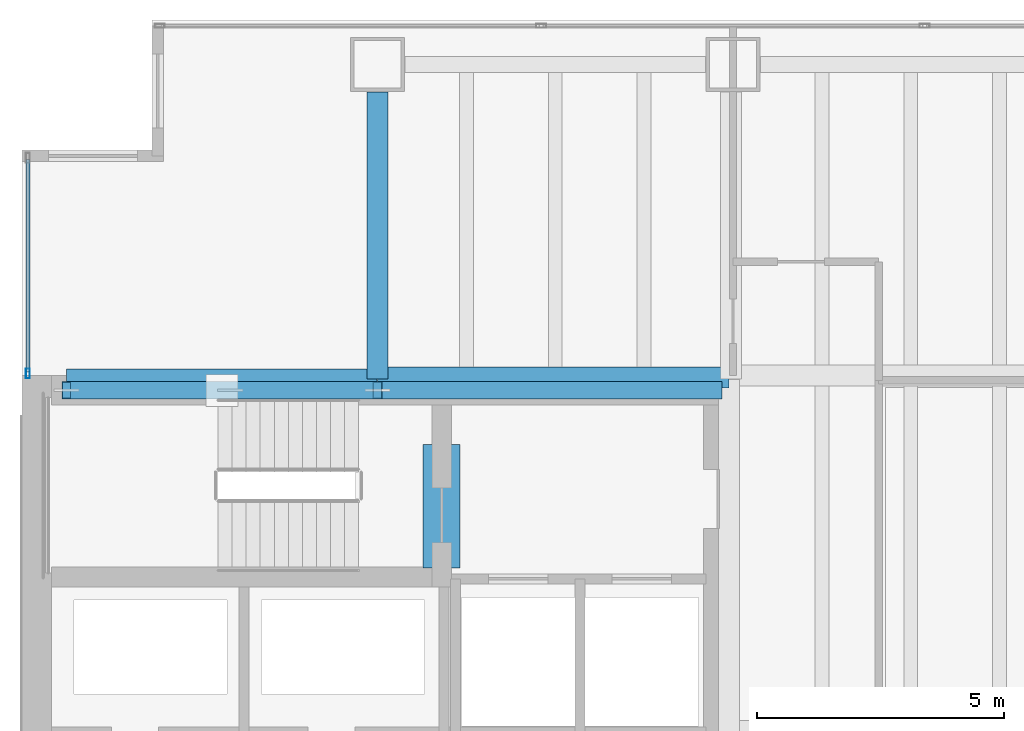
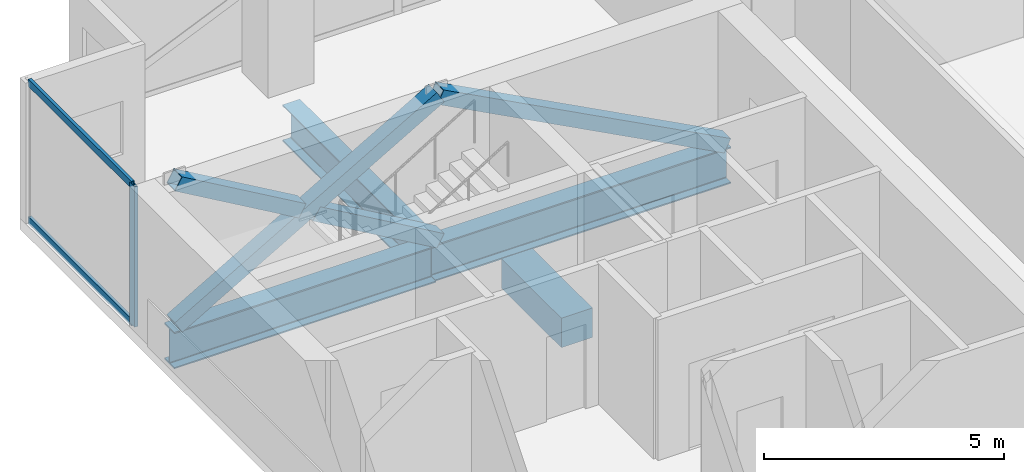
# One storey, part 14 of 25: 7 members, 4 beams, 1 element without a shape of its own.
"""IFC4 building model written with IfcOpenShell, lengths in metres."""

from ifc_helpers import new_model, si_unit, direction, frame, origin, origin_2d, place, context, subcontext, project, spatial, rectangle, hollow_rectangle, i_section, extrude, material, material_profile, profile_set, type_object, element, aggregate, save


model = new_model("IFC4")

# Units and contexts
model_context = context("Model", 3, precision=1e-05, world=origin(), true_north=direction((0.0, 1.0)))
body_context = subcontext(model_context, "Body", "Model", "MODEL_VIEW")
ifc_project = project(units=[si_unit("LENGTHUNIT", "METRE"), si_unit("AREAUNIT", "SQUARE_METRE"), si_unit("VOLUMEUNIT", "CUBIC_METRE"), si_unit("PLANEANGLEUNIT", "RADIAN"), si_unit("MASSUNIT", "GRAM", prefix="KILO")], contexts=[model_context])

# Site, building, storey
site_placement = place(None, origin())
site = spatial("IfcSite", under=ifc_project, at=site_placement, CompositionType="ELEMENT")
building_placement = place(site_placement, origin())
building = spatial("IfcBuilding", under=site, at=building_placement, Name="Cobrela Telecom Tower", CompositionType="ELEMENT")
storey_placement = place(building_placement, frame((0.0, 0.0, 42.699951171875)))
storey = spatial("IfcBuildingStorey", under=building, at=storey_placement, Name="L10", CompositionType="ELEMENT", Elevation=42.699951171875)

# Beams
ifc_material_1 = material(Name="Concrete C40/50", Category="concrete")
ifc_material_profile_1 = material_profile(ifc_material_1, rectangle(XDim=0.75, YDim=0.75, at=origin_2d()), Name="RC 750x750")
ifc_profile_set_1 = profile_set([ifc_material_profile_1], Name="Concrete C40/50")
beam_type_1 = type_object("IfcBeamType", Name="BM-COUP-RC", PredefinedType="LINTEL", material=ifc_profile_set_1)
beam_1_placement = place(storey_placement, frame((8.5, 32.10009765625, -0.6298828125), z_axis=(0.0, 1.0, 0.0), x_axis=(-1.0, 0.0, 0.0)))
element("IfcBeam", 1, at=beam_1_placement, inside=storey, type_object=beam_type_1, Name="L10 Core Coupling Lintel Beam", PredefinedType="LINTEL", context=body_context, shape_type="SweptSolid", body=[
    extrude(rectangle(XDim=0.75, YDim=0.75, at=origin_2d()), origin(), (0.0, 0.0, 1.0), 2.5),
])
ifc_material_2 = material(Name="Steel ASTM A992 Grade 50", Category="steel")
ifc_material_profile_2 = material_profile(ifc_material_2, i_section(OverallWidth=0.4189453125, OverallDepth=0.927001953125, WebThickness=0.019287109375, FlangeThickness=0.031982421875, FilletRadius=0.02392578125, at=origin_2d()), Name="W36X231")
ifc_profile_set_2 = profile_set([ifc_material_profile_2], Name="Steel ASTM A992 Grade 50")
beam_type_2 = type_object("IfcBeamType", Name="BM-GIRD-02", PredefinedType="USERDEFINED", material=ifc_profile_set_2)
beam_2_placement = place(storey_placement, frame((0.905029296875, 35.919921875, -0.743408203125), z_axis=(1.0, 0.0, 0.0), x_axis=(0.0, 1.0, 0.0)))
element("IfcBeam", 2, at=beam_2_placement, inside=storey, type_object=beam_type_2, Name="L10 Primary Girder X25", ObjectType="GIRDER", PredefinedType="USERDEFINED", context=body_context, shape_type="SweptSolid", body=[
    extrude(i_section(OverallWidth=0.4189453125, OverallDepth=0.927001953125, WebThickness=0.019287109375, FlangeThickness=0.031982421875, FilletRadius=0.02392578125, at=origin_2d()), origin(), (0.0, 0.0, 1.0), 6.2900390625),
])
beam_3_placement = place(storey_placement, frame((7.205078125, 35.9599609375, -0.743408203125), z_axis=(1.0, 0.0, 0.0), x_axis=(0.0, 1.0, 0.0)))
element("IfcBeam", 3, at=beam_3_placement, inside=storey, type_object=beam_type_2, Name="L10 Primary Girder X26", ObjectType="GIRDER", PredefinedType="USERDEFINED", context=body_context, shape_type="SweptSolid", body=[
    extrude(i_section(OverallWidth=0.4189453125, OverallDepth=0.927001953125, WebThickness=0.019287109375, FlangeThickness=0.031982421875, FilletRadius=0.02392578125, at=origin_2d()), origin(), (0.0, 0.0, 1.0), 7.10986328125),
])
beam_4_placement = place(storey_placement, frame((7.199951171875, 35.925048828125, -0.743408203125), z_axis=(0.0, 1.0, 0.0), x_axis=(-1.0, 0.0, 0.0)))
element("IfcBeam", 4, at=beam_4_placement, inside=storey, type_object=beam_type_2, Name="L10 Primary Girder Y33", ObjectType="GIRDER", PredefinedType="USERDEFINED", context=body_context, shape_type="SweptSolid", body=[
    extrude(i_section(OverallWidth=0.4189453125, OverallDepth=0.927001953125, WebThickness=0.019287109375, FlangeThickness=0.031982421875, FilletRadius=0.02392578125, at=origin_2d()), origin(), (0.0, 0.0, 1.0), 5.820068359375),
])

# Curtain wall, members
ifc_material_3 = material(Name="Anodized Bronze Aluminium 6063-T6", Category="aluminium")
curtain_wall_type = type_object("IfcCurtainWallType", Name="CW-SYS-DATA", PredefinedType="USERDEFINED", material=ifc_material_3)
curtain_wall_placement = place(storey_placement, origin())
curtain_wall = element("IfcCurtainWall", 5, at=curtain_wall_placement, inside=storey, type_object=curtain_wall_type, Name="L10 Unitised Bronze Curtain Wall 04", ObjectType="UNITISED CURTAIN WALL", PredefinedType="USERDEFINED")
ifc_material_profile_3 = material_profile(ifc_material_3, hollow_rectangle(XDim=0.080078125, YDim=0.199951171875, WallThickness=0.00390625, at=origin_2d()), Name="ALU 80x200x4")
ifc_profile_set_3 = profile_set([ifc_material_profile_3], Name="Anodized Bronze Aluminium 6063-T6")
member_type_1 = type_object("IfcMemberType", Name="CW-SYS-DATA-MUL", PredefinedType="MULLION", material=ifc_profile_set_3)
member_1_placement = place(storey_placement, frame((0.1201171875, 36.0400390625, 0.0), z_axis=(0.0, 0.0, 1.0), x_axis=(-1.0, 0.0, 0.0)))
member_1 = element("IfcMember", 6, at=member_1_placement, type_object=member_type_1, Name="CW-DATA mullion 1", PredefinedType="MULLION", context=body_context, shape_type="SweptSolid", body=[
    extrude(hollow_rectangle(XDim=0.080078125, YDim=0.199951171875, WallThickness=0.00390625, at=origin_2d()), origin(), (0.0, 0.0, 1.0), 3.570068359375),
])
ifc_material_profile_4 = material_profile(ifc_material_3, hollow_rectangle(XDim=0.074951171875, YDim=0.179931640625, WallThickness=0.00390625, at=origin_2d()), Name="ALU 75x180x4")
ifc_profile_set_4 = profile_set([ifc_material_profile_4], Name="Anodized Bronze Aluminium 6063-T6")
member_type_2 = type_object("IfcMemberType", Name="CW-SYS-DATA-TRN", PredefinedType="USERDEFINED", material=ifc_profile_set_4)
member_2_placement = place(storey_placement, frame((0.1201171875, 36.080078125, 0.03759765625), z_axis=(0.0, 1.0, 0.0), x_axis=(-1.0, 0.0, 0.0)))
member_2 = element("IfcMember", 7, at=member_2_placement, type_object=member_type_2, Name="CW-DATA transom 1.1", ObjectType="TRANSOM", PredefinedType="USERDEFINED", context=body_context, shape_type="SweptSolid", body=[
    extrude(hollow_rectangle(XDim=0.074951171875, YDim=0.179931640625, WallThickness=0.00390625, at=origin_2d()), origin(), (0.0, 0.0, 1.0), 4.2900390625),
])
member_3_placement = place(storey_placement, frame((0.1201171875, 36.080078125, 3.532470703125), z_axis=(0.0, 1.0, 0.0), x_axis=(-1.0, 0.0, 0.0)))
member_3 = element("IfcMember", 8, at=member_3_placement, type_object=member_type_2, Name="CW-DATA transom 1.2", ObjectType="TRANSOM", PredefinedType="USERDEFINED", context=body_context, shape_type="SweptSolid", body=[
    extrude(hollow_rectangle(XDim=0.074951171875, YDim=0.179931640625, WallThickness=0.00390625, at=origin_2d()), origin(), (0.0, 0.0, 1.0), 4.2900390625),
])
aggregate(curtain_wall, [member_1, member_2, member_3])

# Members
ifc_material_4 = material(Name="Steel ASTM A572 Grade 50", Category="steel")
ifc_material_profile_5 = material_profile(ifc_material_4, hollow_rectangle(XDim=0.35009765625, YDim=0.35009765625, WallThickness=0.01611328125, at=origin_2d()), Name="HSS 350x350x16")
ifc_profile_set_5 = profile_set([ifc_material_profile_5], Name="Steel ASTM A572 Grade 50")
member_type_3 = type_object("IfcMemberType", Name="MBR-EXO-02", PredefinedType="BRACE", material=ifc_profile_set_5)
member_4_placement = place(storey_placement, frame((0.89990234375, 35.699951171875, -0.0400390625), z_axis=(0.865262480916, 0.0, 0.501319099096), x_axis=(0.0, 1.0, 0.0)))
element("IfcMember", 9, at=member_4_placement, inside=storey, type_object=member_type_3, Name="L10 Core Flange Steel X-Brace Continuous A", PredefinedType="BRACE", context=body_context, shape_type="SweptSolid", body=[
    extrude(hollow_rectangle(XDim=0.35009765625, YDim=0.35009765625, WallThickness=0.01611328125, at=origin_2d()), origin(), (0.0, 0.0, 1.0), 7.281005859375),
])
for number, where, z_axis, x_axis, name in (
    (10, (7.199951171875, 35.699951171875, -0.0400390625), (-0.865266106373, 0.0, 0.50131284161), (0.0, -1.0, 0.0), "L10 Core Flange Steel X-Brace Split B1"),
    (11, (3.88037109375, 35.699951171875, 1.88330078125), (-0.865266106373, 0.0, 0.50131284161), (0.0, -1.0, 0.0), "L10 Core Flange Steel X-Brace Split B2"),
):
    element("IfcMember", number, at=place(storey_placement, frame(where, z_axis=z_axis, x_axis=x_axis)), inside=storey, type_object=member_type_3, Name=name, PredefinedType="BRACE", context=body_context, shape_type="SweptSolid", body=[
        extrude(hollow_rectangle(XDim=0.35009765625, YDim=0.35009765625, WallThickness=0.01611328125, at=origin_2d()), origin(), (0.0, 0.0, 1.0), 3.444580078125),
    ])
member_5_placement = place(storey_placement, frame((14.10009765625, 35.699951171875, -0.0400390625), z_axis=(-0.883940020796, 0.0, 0.46760029901), x_axis=(0.0, -1.0, 0.0)))
element("IfcMember", 12, at=member_5_placement, inside=storey, type_object=member_type_3, Name="L10 Core Flange Steel Brace N2", PredefinedType="BRACE", context=body_context, shape_type="SweptSolid", body=[
    extrude(hollow_rectangle(XDim=0.35009765625, YDim=0.35009765625, WallThickness=0.01611328125, at=origin_2d()), origin(), (0.0, 0.0, 1.0), 7.80615234375),
])

save(model, "model.ifc")
